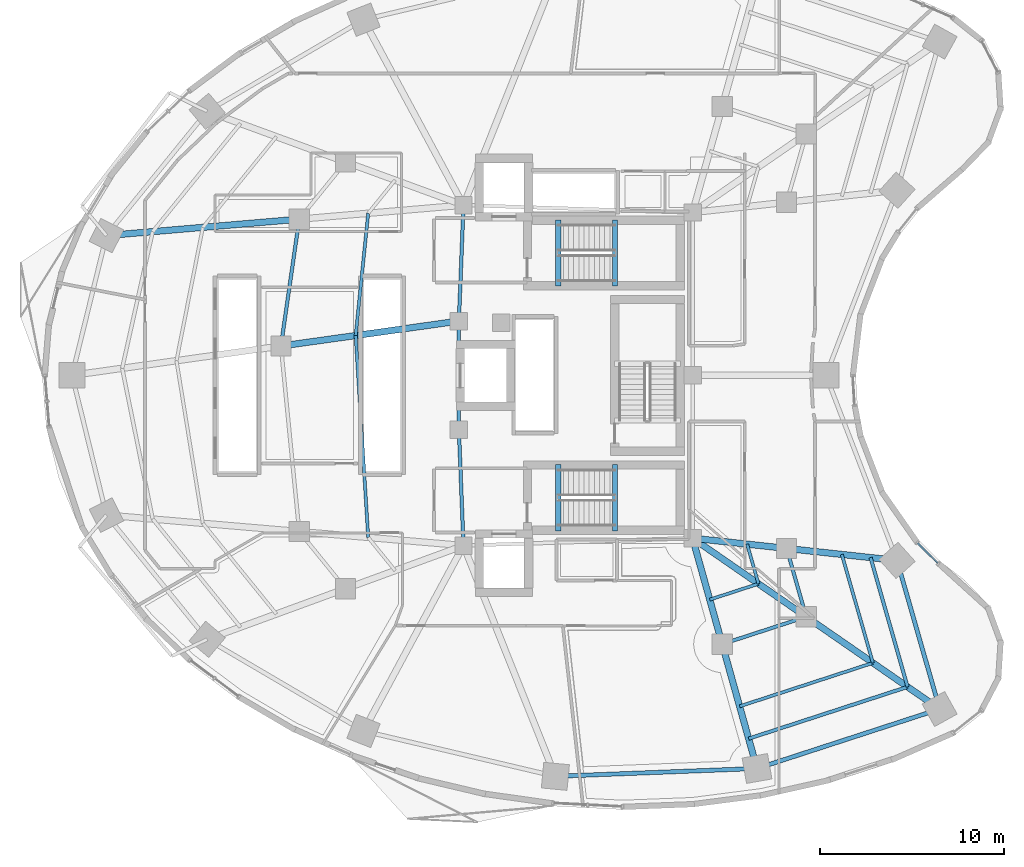
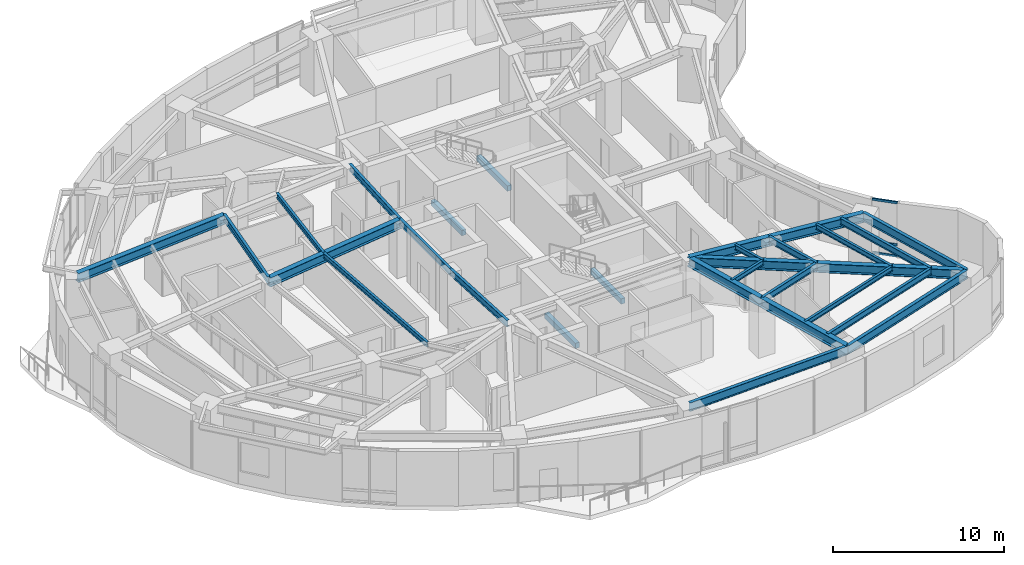
# One storey, part 3 of 15: 29 beams, 3 members, 1 element without a shape of its own.
"""IFC4 building model written with IfcOpenShell, lengths in metres."""

from ifc_helpers import new_model, si_unit, direction, frame, origin, origin_2d, place, context, subcontext, project, spatial, rectangle, i_section, extrude, material, layer, layer_set, material_profile, profile_set, type_object, element, aggregate, save


model = new_model("IFC4")

# Units and contexts
model_context = context("Model", 3, precision=1e-05, world=origin(), true_north=direction((0.0, 1.0)))
body_context = subcontext(model_context, "Body", "Model", "MODEL_VIEW")
ifc_project = project(units=[si_unit("LENGTHUNIT", "METRE"), si_unit("AREAUNIT", "SQUARE_METRE"), si_unit("VOLUMEUNIT", "CUBIC_METRE"), si_unit("PLANEANGLEUNIT", "RADIAN"), si_unit("MASSUNIT", "GRAM", prefix="KILO")], contexts=[model_context])

# Site, building, storey
site_placement = place(None, origin())
site = spatial("IfcSite", under=ifc_project, at=site_placement, CompositionType="ELEMENT")
building_placement = place(site_placement, origin())
building = spatial("IfcBuilding", under=site, at=building_placement, Name="Korentha Bioscience Tower", CompositionType="ELEMENT")
storey_placement = place(building_placement, frame((0.0, 0.0, 76.199951171875)))
storey = spatial("IfcBuildingStorey", under=building, at=storey_placement, Name="L17", CompositionType="ELEMENT", Elevation=76.199951171875)

# Beams
ifc_material_1 = material(Name="Concrete C50", Category="concrete")
ifc_material_profile_1 = material_profile(ifc_material_1, rectangle(XDim=0.280029296875, YDim=0.3798828125, at=origin_2d()), Name="Concrete C50")
ifc_profile_set_1 = profile_set([ifc_material_profile_1], Name="Concrete C50 (ST-HB380)")
beam_type_1 = type_object("IfcBeamType", Name="Concrete Stair Header Beam RC 280x380", PredefinedType="BEAM", material=ifc_profile_set_1)
for number, where, z_axis, x_axis, name in (
    (1, (30.25, 31.85009765625, -0.18994140625), (0.0, 1.0, 0.0), (-1.0, 0.0, 0.0), "L17 ST-1 Concrete Stair Header Beam"),
    (2, (33.330078125, 31.85009765625, 1.91015625), (0.0, 1.0, 0.0), (-1.0, 0.0, 0.0), "L17 ST-1 Half-Landing Header Beam 1"),
    (3, (30.25, 18.550048828125, -0.18994140625), (0.0, 1.0, 0.0), (-1.0, 0.0, 0.0), "L17 ST-2 Concrete Stair Header Beam"),
    (4, (33.330078125, 18.550048828125, 1.91015625), (0.0, 1.0, 0.0), (-1.0, 0.0, 0.0), "L17 ST-2 Half-Landing Header Beam 1"),
):
    element("IfcBeam", number, at=place(storey_placement, frame(where, z_axis=z_axis, x_axis=x_axis)), inside=storey, type_object=beam_type_1, Name=name, PredefinedType="BEAM", context=body_context, shape_type="SweptSolid", body=[
        extrude(rectangle(XDim=0.280029296875, YDim=0.3798828125, at=origin_2d()), origin(), (0.0, 0.0, 1.0), 3.599853515625),
    ])
ifc_material_2 = material(Name="Steel S355", Category="steel")
ifc_material_profile_2 = material_profile(ifc_material_2, i_section(OverallWidth=0.18994140625, OverallDepth=0.45703125, WebThickness=0.009033203125, FlangeThickness=0.014404296875, at=origin_2d()), Name="Steel S355")
ifc_profile_set_2 = profile_set([ifc_material_profile_2], Name="Steel S355 (MB-460)")
beam_type_2 = type_object("IfcBeamType", Name="Mid-Ring Tie Girder W460x74", PredefinedType="BEAM", material=ifc_profile_set_2)
beam_1_placement = place(storey_placement, frame((16.174072265625, 35.489013671875, 3.671630859375), z_axis=(-0.14286846228, -0.989741684727, 0.0), x_axis=(0.989741684727, -0.14286846228, 0.0)))
element("IfcBeam", 5, at=beam_1_placement, inside=storey, type_object=beam_type_2, Name="L17 Mid-Ring Tie Girder 06", PredefinedType="BEAM", context=body_context, shape_type="SweptSolid", body=[
    extrude(i_section(OverallWidth=0.18994140625, OverallDepth=0.45703125, WebThickness=0.009033203125, FlangeThickness=0.014404296875, at=origin_2d()), origin(), (0.0, 0.0, 1.0), 6.967041015625),
])
beam_2_placement = place(storey_placement, frame((39.1611328125, 12.392333984375, 3.671630859375), z_axis=(0.950877001105, 0.309568940253, 0.0), x_axis=(-0.309568940253, 0.950877001105, 0.0)))
element("IfcBeam", 6, at=beam_2_placement, inside=storey, type_object=beam_type_2, Name="L17 Mid-Ring Tie Girder 12", PredefinedType="BEAM", context=body_context, shape_type="SweptSolid", body=[
    extrude(i_section(OverallWidth=0.18994140625, OverallDepth=0.45703125, WebThickness=0.009033203125, FlangeThickness=0.014404296875, at=origin_2d()), origin(), (0.0, 0.0, 1.0), 4.80126953125),
])
beam_3_placement = place(storey_placement, frame((43.7265625, 13.878662109375, 3.671630859375), z_axis=(-0.27560557792, 0.961270807535, 0.0), x_axis=(-0.961270807535, -0.27560557792, 0.0)))
element("IfcBeam", 7, at=beam_3_placement, inside=storey, type_object=beam_type_2, Name="L17 Mid-Ring Tie Girder 13", PredefinedType="BEAM", context=body_context, shape_type="SweptSolid", body=[
    extrude(i_section(OverallWidth=0.18994140625, OverallDepth=0.45703125, WebThickness=0.009033203125, FlangeThickness=0.014404296875, at=origin_2d()), origin(), (0.0, 0.0, 1.0), 3.864013671875),
])
beam_4_placement = place(storey_placement, frame((25.10009765625, 36.25, 3.671630859375), z_axis=(-0.039651025576, -0.999213588864, 0.0), x_axis=(0.999213588864, -0.039651025576, 0.0)))
element("IfcBeam", 8, at=beam_4_placement, inside=storey, type_object=beam_type_2, Name="L17 Core Ring Tie Girder 02", PredefinedType="BEAM", context=body_context, shape_type="SweptSolid", body=[
    extrude(i_section(OverallWidth=0.18994140625, OverallDepth=0.45703125, WebThickness=0.009033203125, FlangeThickness=0.014404296875, at=origin_2d()), origin(), (0.0, 0.0, 1.0), 6.304931640625),
])
beam_5_placement = place(storey_placement, frame((24.85009765625, 29.949951171875, 3.671630859375), z_axis=(0.0, -1.0, 0.0), x_axis=(1.0, 0.0, 0.0)))
element("IfcBeam", 9, at=beam_5_placement, inside=storey, type_object=beam_type_2, Name="L17 Core Ring Tie Girder 03", PredefinedType="BEAM", context=body_context, shape_type="SweptSolid", body=[
    extrude(i_section(OverallWidth=0.18994140625, OverallDepth=0.45703125, WebThickness=0.009033203125, FlangeThickness=0.014404296875, at=origin_2d()), origin(), (0.0, 0.0, 1.0), 5.89990234375),
])
beam_6_placement = place(storey_placement, frame((24.85009765625, 24.050048828125, 3.671630859375), z_axis=(0.039651025576, -0.999213588864, 0.0), x_axis=(0.999213588864, 0.039651025576, 0.0)))
element("IfcBeam", 10, at=beam_6_placement, inside=storey, type_object=beam_type_2, Name="L17 Core Ring Tie Girder 04", PredefinedType="BEAM", context=body_context, shape_type="SweptSolid", body=[
    extrude(i_section(OverallWidth=0.18994140625, OverallDepth=0.45703125, WebThickness=0.009033203125, FlangeThickness=0.014404296875, at=origin_2d()), origin(), (0.0, 0.0, 1.0), 6.304931640625),
])
ifc_material_profile_3 = material_profile(ifc_material_2, i_section(OverallWidth=0.22802734375, OverallDepth=0.60791015625, WebThickness=0.01123046875, FlangeThickness=0.017333984375, at=origin_2d()), Name="Steel S355")
ifc_profile_set_3 = profile_set([ifc_material_profile_3], Name="Steel S355 (SB-610)")
beam_type_3 = type_object("IfcBeamType", Name="Perimeter Ring Spandrel Girder W610x113", PredefinedType="SPANDREL", material=ifc_profile_set_3)
beam_7_placement = place(storey_placement, frame((30.09423828125, 5.20751953125, 3.595947265625), z_axis=(0.999246003889, 0.03882555488, 0.0), x_axis=(-0.03882555488, 0.999246003889, 0.0)))
element("IfcBeam", 11, at=beam_7_placement, inside=storey, type_object=beam_type_3, Name="L17 Perimeter Spandrel Girder 11", PredefinedType="SPANDREL", context=body_context, shape_type="SweptSolid", body=[
    extrude(i_section(OverallWidth=0.22802734375, OverallDepth=0.60791015625, WebThickness=0.01123046875, FlangeThickness=0.017333984375, at=origin_2d()), origin(), (0.0, 0.0, 1.0), 10.966552734375),
])
beam_8_placement = place(storey_placement, frame((41.052490234375, 5.63330078125, 3.595947265625), z_axis=(0.95087511444, 0.309574735305, 0.0), x_axis=(-0.309574735305, 0.95087511444, 0.0)))
element("IfcBeam", 12, at=beam_8_placement, inside=storey, type_object=beam_type_3, Name="L17 Perimeter Spandrel Girder 12", PredefinedType="SPANDREL", context=body_context, shape_type="SweptSolid", body=[
    extrude(i_section(OverallWidth=0.22802734375, OverallDepth=0.60791015625, WebThickness=0.01123046875, FlangeThickness=0.017333984375, at=origin_2d()), origin(), (0.0, 0.0, 1.0), 10.4375),
])
beam_9_placement = place(storey_placement, frame((50.977294921875, 8.864501953125, 3.595947265625), z_axis=(-0.275642273411, 0.961260285827, 0.0), x_axis=(-0.961260285827, -0.275642273411, 0.0)))
element("IfcBeam", 13, at=beam_9_placement, inside=storey, type_object=beam_type_3, Name="L17 Perimeter Spandrel Girder 13", PredefinedType="SPANDREL", context=body_context, shape_type="SweptSolid", body=[
    extrude(i_section(OverallWidth=0.22802734375, OverallDepth=0.60791015625, WebThickness=0.01123046875, FlangeThickness=0.017333984375, at=origin_2d()), origin(), (0.0, 0.0, 1.0), 8.400146484375),
])
ifc_material_profile_4 = material_profile(ifc_material_2, i_section(OverallWidth=0.18994140625, OverallDepth=0.45703125, WebThickness=0.009033203125, FlangeThickness=0.014404296875, at=origin_2d()), Name="Steel S355")
ifc_profile_set_4 = profile_set([ifc_material_profile_4], Name="Steel S355 (RB-460)")
beam_type_4 = type_object("IfcBeamType", Name="Radial Laboratory Beam W460x74", PredefinedType="BEAM", material=ifc_profile_set_4)
beam_10_placement = place(storey_placement, frame((40.5986328125, 7.255615234375, 3.671630859375), z_axis=(0.95087437499, 0.309577006554, 0.0), x_axis=(-0.309577006554, 0.95087437499, 0.0)))
element("IfcBeam", 14, at=beam_10_placement, inside=storey, type_object=beam_type_4, Name="L17 Secondary Floor Beam JSTO-12", PredefinedType="BEAM", context=body_context, shape_type="SweptSolid", body=[
    extrude(i_section(OverallWidth=0.18994140625, OverallDepth=0.45703125, WebThickness=0.009033203125, FlangeThickness=0.014404296875, at=origin_2d()), origin(), (0.0, 0.0, 1.0), 9.0849609375),
])
beam_11_placement = place(storey_placement, frame((49.2373046875, 10.068115234375, 3.671630859375), z_axis=(-0.275682421415, 0.961248772443, 0.0), x_axis=(-0.961248772443, -0.275682421415, 0.0)))
element("IfcBeam", 15, at=beam_11_placement, inside=storey, type_object=beam_type_4, Name="L17 Secondary Floor Beam JSTO-13", PredefinedType="BEAM", context=body_context, shape_type="SweptSolid", body=[
    extrude(i_section(OverallWidth=0.18994140625, OverallDepth=0.45703125, WebThickness=0.009033203125, FlangeThickness=0.014404296875, at=origin_2d()), origin(), (0.0, 0.0, 1.0), 7.3115234375),
])
ifc_material_profile_5 = material_profile(ifc_material_2, i_section(OverallWidth=0.35009765625, OverallDepth=0.64990234375, WebThickness=0.01611328125, FlangeThickness=0.02490234375, at=origin_2d()), Name="Steel S355")
ifc_profile_set_5 = profile_set([ifc_material_profile_5], Name="Steel S355 (RB-650)")
beam_type_5 = type_object("IfcBeamType", Name="Radial Laboratory Girder CVS 650x208", PredefinedType="BEAM", material=ifc_profile_set_5)
beam_12_placement = place(storey_placement, frame((16.174072265625, 35.489013671875, 3.574951171875), z_axis=(-0.996385601055, -0.084945476695, 0.0), x_axis=(0.084945476695, -0.996385601055, 0.0)))
element("IfcBeam", 16, at=beam_12_placement, inside=storey, type_object=beam_type_5, Name="L17 Outer Radial Girder 06", PredefinedType="BEAM", context=body_context, shape_type="SweptSolid", body=[
    extrude(i_section(OverallWidth=0.35009765625, OverallDepth=0.64990234375, WebThickness=0.01611328125, FlangeThickness=0.02490234375, at=origin_2d()), origin(), (0.0, 0.0, 1.0), 10.516357421875),
])
beam_13_placement = place(storey_placement, frame((24.85009765625, 29.949951171875, 3.574951171875), z_axis=(-0.990307253072, -0.138894004596, 0.0), x_axis=(0.138894004596, -0.990307253072, 0.0)))
element("IfcBeam", 17, at=beam_13_placement, inside=storey, type_object=beam_type_5, Name="L17 Inner Radial Girder 07", PredefinedType="BEAM", context=body_context, shape_type="SweptSolid", body=[
    extrude(i_section(OverallWidth=0.35009765625, OverallDepth=0.64990234375, WebThickness=0.01611328125, FlangeThickness=0.02490234375, at=origin_2d()), origin(), (0.0, 0.0, 1.0), 9.76611328125),
])
beam_14_placement = place(storey_placement, frame((37.550048828125, 18.14990234375, 3.574951171875), z_axis=(0.269469369205, -0.963008961049, 0.0), x_axis=(0.963008961049, 0.269469369205, 0.0)))
element("IfcBeam", 18, at=beam_14_placement, inside=storey, type_object=beam_type_5, Name="L17 Inner Radial Girder 12", PredefinedType="BEAM", context=body_context, shape_type="SweptSolid", body=[
    extrude(i_section(OverallWidth=0.35009765625, OverallDepth=0.64990234375, WebThickness=0.01611328125, FlangeThickness=0.02490234375, at=origin_2d()), origin(), (0.0, 0.0, 1.0), 5.978759765625),
])
beam_15_placement = place(storey_placement, frame((39.1611328125, 12.392333984375, 3.574951171875), z_axis=(0.269475095129, -0.963007358801, 0.0), x_axis=(0.963007358801, 0.269475095129, 0.0)))
element("IfcBeam", 19, at=beam_15_placement, inside=storey, type_object=beam_type_5, Name="L17 Outer Radial Girder 12", PredefinedType="BEAM", context=body_context, shape_type="SweptSolid", body=[
    extrude(i_section(OverallWidth=0.35009765625, OverallDepth=0.64990234375, WebThickness=0.01611328125, FlangeThickness=0.02490234375, at=origin_2d()), origin(), (0.0, 0.0, 1.0), 7.0185546875),
])
beam_16_placement = place(storey_placement, frame((37.550048828125, 18.14990234375, 3.574951171875), z_axis=(0.822491697625, -0.568777115694, 0.0), x_axis=(0.568777115694, 0.822491697625, 0.0)))
element("IfcBeam", 20, at=beam_16_placement, inside=storey, type_object=beam_type_5, Name="L17 Inner Radial Girder 13", PredefinedType="BEAM", context=body_context, shape_type="SweptSolid", body=[
    extrude(i_section(OverallWidth=0.35009765625, OverallDepth=0.64990234375, WebThickness=0.01611328125, FlangeThickness=0.02490234375, at=origin_2d()), origin(), (0.0, 0.0, 1.0), 7.509521484375),
])
beam_17_placement = place(storey_placement, frame((43.7265625, 13.878662109375, 3.574951171875), z_axis=(0.822488186113, -0.568782193555, 0.0), x_axis=(0.568782193555, 0.822488186113, 0.0)))
element("IfcBeam", 21, at=beam_17_placement, inside=storey, type_object=beam_type_5, Name="L17 Outer Radial Girder 13", PredefinedType="BEAM", context=body_context, shape_type="SweptSolid", body=[
    extrude(i_section(OverallWidth=0.35009765625, OverallDepth=0.64990234375, WebThickness=0.01611328125, FlangeThickness=0.02490234375, at=origin_2d()), origin(), (0.0, 0.0, 1.0), 8.815673828125),
])
beam_18_placement = place(storey_placement, frame((37.550048828125, 18.14990234375, 3.574951171875), z_axis=(0.994117709144, -0.10830503389, 0.0), x_axis=(0.10830503389, 0.994117709144, 0.0)))
element("IfcBeam", 22, at=beam_18_placement, inside=storey, type_object=beam_type_5, Name="L17 Inner Radial Girder 14", PredefinedType="BEAM", context=body_context, shape_type="SweptSolid", body=[
    extrude(i_section(OverallWidth=0.35009765625, OverallDepth=0.64990234375, WebThickness=0.01611328125, FlangeThickness=0.02490234375, at=origin_2d()), origin(), (0.0, 0.0, 1.0), 5.141845703125),
])
beam_19_placement = place(storey_placement, frame((42.66162109375, 17.593017578125, 3.574951171875), z_axis=(0.994115805925, -0.108322501862, 0.0), x_axis=(0.108322501862, 0.994115805925, 0.0)))
element("IfcBeam", 23, at=beam_19_placement, inside=storey, type_object=beam_type_5, Name="L17 Outer Radial Girder 14", PredefinedType="BEAM", context=body_context, shape_type="SweptSolid", body=[
    extrude(i_section(OverallWidth=0.35009765625, OverallDepth=0.64990234375, WebThickness=0.01611328125, FlangeThickness=0.02490234375, at=origin_2d()), origin(), (0.0, 0.0, 1.0), 6.03564453125),
])
ifc_material_profile_6 = material_profile(ifc_material_2, i_section(OverallWidth=0.1708984375, OverallDepth=0.35498046875, WebThickness=0.007080078125, FlangeThickness=0.01171875, at=origin_2d()), Name="Steel S355")
ifc_profile_set_6 = profile_set([ifc_material_profile_6], Name="Steel S355 (JB-360)")
beam_type_6 = type_object("IfcBeamType", Name="Secondary Laboratory Joist W360x51", PredefinedType="JOIST", material=ifc_profile_set_6)
beam_20_placement = place(storey_placement, frame((19.9228515625, 35.80859375, 3.72265625), z_axis=(-0.102144778597, -0.994769543264, 0.0), x_axis=(0.994769543264, -0.102144778597, 0.0)))
element("IfcBeam", 24, at=beam_20_placement, inside=storey, type_object=beam_type_6, Name="L17 Inner Bay Joist 06", PredefinedType="JOIST", context=body_context, shape_type="SweptSolid", body=[
    extrude(i_section(OverallWidth=0.1708984375, OverallDepth=0.35498046875, WebThickness=0.007080078125, FlangeThickness=0.01171875, at=origin_2d()), origin(), (0.0, 0.0, 1.0), 6.680419921875),
])
beam_21_placement = place(storey_placement, frame((19.240478515625, 29.1630859375, 3.72265625), z_axis=(0.062074098012, -0.998071543706, 0.0), x_axis=(0.998071543706, 0.062074098012, 0.0)))
element("IfcBeam", 25, at=beam_21_placement, inside=storey, type_object=beam_type_6, Name="L17 Inner Bay Joist 07", PredefinedType="JOIST", context=body_context, shape_type="SweptSolid", body=[
    extrude(i_section(OverallWidth=0.1708984375, OverallDepth=0.35498046875, WebThickness=0.007080078125, FlangeThickness=0.01171875, at=origin_2d()), origin(), (0.0, 0.0, 1.0), 10.992919921875),
])
beam_22_placement = place(storey_placement, frame((40.10693359375, 9.0126953125, 3.72265625), z_axis=(0.950870992772, 0.309587394938, 0.0), x_axis=(-0.309587394938, 0.950870992772, 0.0)))
element("IfcBeam", 26, at=beam_22_placement, inside=storey, type_object=beam_type_6, Name="L17 Secondary Floor Beam JST-12", PredefinedType="JOIST", context=body_context, shape_type="SweptSolid", body=[
    extrude(i_section(OverallWidth=0.1708984375, OverallDepth=0.35498046875, WebThickness=0.007080078125, FlangeThickness=0.01171875, at=origin_2d()), origin(), (0.0, 0.0, 1.0), 7.619384765625),
])
beam_23_placement = place(storey_placement, frame((38.484619140625, 14.810546875, 3.72265625), z_axis=(0.950869630746, 0.309591578254, 0.0), x_axis=(-0.309591578254, 0.950869630746, 0.0)))
element("IfcBeam", 27, at=beam_23_placement, inside=storey, type_object=beam_type_6, Name="L17 Inner Bay Joist 12", PredefinedType="JOIST", context=body_context, shape_type="SweptSolid", body=[
    extrude(i_section(OverallWidth=0.1708984375, OverallDepth=0.35498046875, WebThickness=0.007080078125, FlangeThickness=0.01171875, at=origin_2d()), origin(), (0.0, 0.0, 1.0), 2.784423828125),
])
beam_24_placement = place(storey_placement, frame((47.35205078125, 11.37158203125, 3.72265625), z_axis=(-0.275667500387, 0.96125305161, 0.0), x_axis=(-0.96125305161, -0.275667500387, 0.0)))
element("IfcBeam", 28, at=beam_24_placement, inside=storey, type_object=beam_type_6, Name="L17 Secondary Floor Beam JST-13", PredefinedType="JOIST", context=body_context, shape_type="SweptSolid", body=[
    extrude(i_section(OverallWidth=0.1708984375, OverallDepth=0.35498046875, WebThickness=0.007080078125, FlangeThickness=0.01171875, at=origin_2d()), origin(), (0.0, 0.0, 1.0), 6.132080078125),
])
beam_25_placement = place(storey_placement, frame((41.13232421875, 15.672607421875, 3.72265625), z_axis=(-0.275613067773, 0.961268660091, 0.0), x_axis=(-0.961268660091, -0.275613067773, 0.0)))
element("IfcBeam", 29, at=beam_25_placement, inside=storey, type_object=beam_type_6, Name="L17 Inner Bay Joist 13", PredefinedType="JOIST", context=body_context, shape_type="SweptSolid", body=[
    extrude(i_section(OverallWidth=0.1708984375, OverallDepth=0.35498046875, WebThickness=0.007080078125, FlangeThickness=0.01171875, at=origin_2d()), origin(), (0.0, 0.0, 1.0), 2.2412109375),
])

# Curtain wall, members
ifc_material_3 = material(Name="Thermally Broken Aluminium Frame", Category="aluminium")
ifc_layer = layer(ifc_material_3, 0.219970703125, Name="Thermally Broken Aluminium Frame")
ifc_layer_set = layer_set([ifc_layer], Name="Thermally Broken Aluminium Frame (CW-T1)")
curtain_wall_type = type_object("IfcCurtainWallType", Name="Standard Bioscience Lab Unitised Curtain Wall CW-T1", PredefinedType="USERDEFINED", material=ifc_layer_set)
curtain_wall_placement = place(storey_placement, origin())
curtain_wall = element("IfcCurtainWall", 30, at=curtain_wall_placement, inside=storey, type_object=curtain_wall_type, Name="L17 Curtain Wall 43", ObjectType="UNITISED", PredefinedType="USERDEFINED")
ifc_material_4 = material(Name="Anodised Aluminium 6063-T6", Category="aluminium")
ifc_material_profile_7 = material_profile(ifc_material_4, rectangle(XDim=0.090087890625, YDim=0.159912109375, at=origin_2d()), Name="Anodised Aluminium 6063-T6")
ifc_profile_set_7 = profile_set([ifc_material_profile_7], Name="Anodised Aluminium 6063-T6 (CW-TRN)")
member_type = type_object("IfcMemberType", Name="Transom RECT 90x160", PredefinedType="USERDEFINED", material=ifc_profile_set_7)
member_1_placement = place(storey_placement, frame((50.8818359375, 16.796875, 0.045166015625), z_axis=(-0.713350356322, 0.700807583531, 0.0), x_axis=(-0.700807583531, -0.713350356322, 0.0)))
member_1 = element("IfcMember", 31, at=member_1_placement, type_object=member_type, Name="CW-L17-43 Bay 1 Transom 1", ObjectType="TRANSOM", PredefinedType="USERDEFINED", context=body_context, shape_type="SweptSolid", body=[
    extrude(rectangle(XDim=0.090087890625, YDim=0.159912109375, at=origin_2d()), origin(), (0.0, 0.0, 1.0), 1.53759765625),
])
member_2_placement = place(storey_placement, frame((50.8818359375, 16.796875, 0.85009765625), z_axis=(-0.713350356322, 0.700807583531, 0.0), x_axis=(-0.700807583531, -0.713350356322, 0.0)))
member_2 = element("IfcMember", 32, at=member_2_placement, type_object=member_type, Name="CW-L17-43 Bay 1 Transom 2", ObjectType="TRANSOM", PredefinedType="USERDEFINED", context=body_context, shape_type="SweptSolid", body=[
    extrude(rectangle(XDim=0.090087890625, YDim=0.159912109375, at=origin_2d()), origin(), (0.0, 0.0, 1.0), 1.53759765625),
])
member_3_placement = place(storey_placement, frame((50.8818359375, 16.796875, 3.85498046875), z_axis=(-0.713350356322, 0.700807583531, 0.0), x_axis=(-0.700807583531, -0.713350356322, 0.0)))
member_3 = element("IfcMember", 33, at=member_3_placement, type_object=member_type, Name="CW-L17-43 Bay 1 Transom 3", ObjectType="TRANSOM", PredefinedType="USERDEFINED", context=body_context, shape_type="SweptSolid", body=[
    extrude(rectangle(XDim=0.090087890625, YDim=0.159912109375, at=origin_2d()), origin(), (0.0, 0.0, 1.0), 1.53759765625),
])
aggregate(curtain_wall, [member_1, member_2, member_3])

save(model, "model.ifc")
